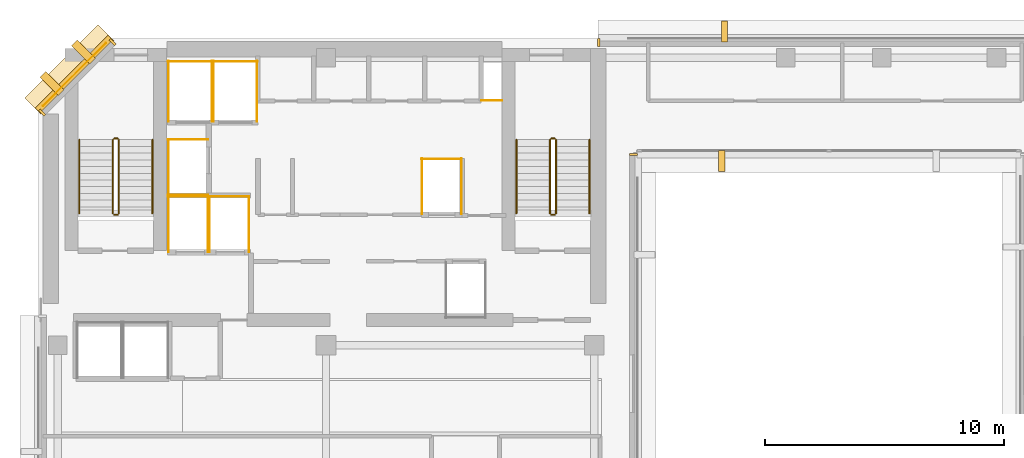
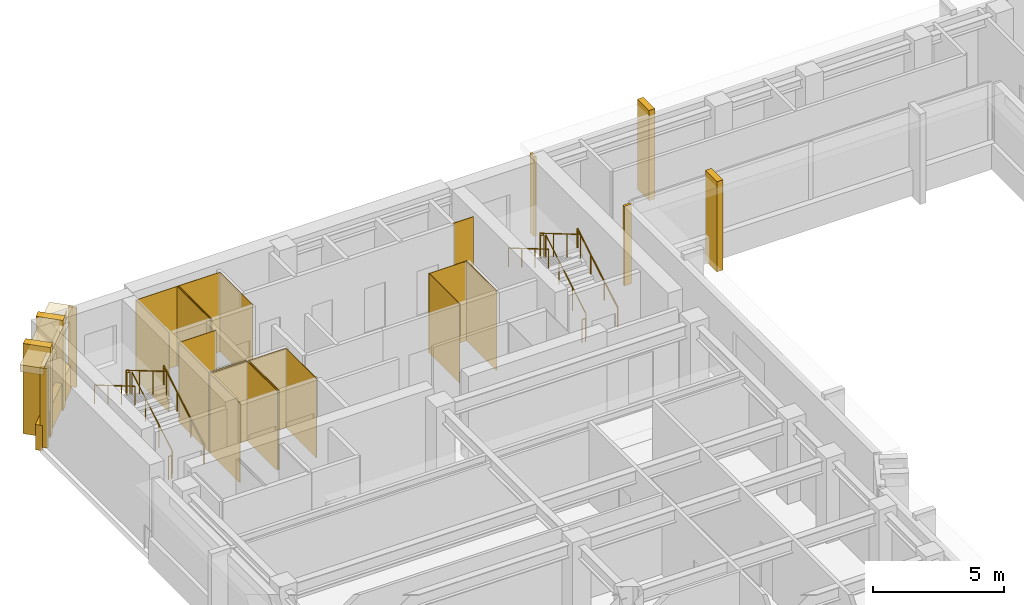
# One storey, part 10 of 11: 30 coverings, 12 railings.
"""IFC4 building model written with IfcOpenShell, lengths in metres."""

from ifc_helpers import new_model, si_unit, direction, frame, origin, origin_2d, place, context, subcontext, project, spatial, polyline, rectangle, circle, outline, extrude, material, layer, layer_set, type_object, element, save


model = new_model("IFC4")

# Units and contexts
model_context = context("Model", 3, precision=1e-05, world=origin(), true_north=direction((0.0, 1.0)))
body_context = subcontext(model_context, "Body", "Model", "MODEL_VIEW")
ifc_project = project(units=[si_unit("LENGTHUNIT", "METRE"), si_unit("AREAUNIT", "SQUARE_METRE"), si_unit("VOLUMEUNIT", "CUBIC_METRE"), si_unit("PLANEANGLEUNIT", "RADIAN"), si_unit("MASSUNIT", "GRAM", prefix="KILO")], contexts=[model_context])

# Site, building, storey
site_placement = place(None, origin())
site = spatial("IfcSite", under=ifc_project, at=site_placement, CompositionType="ELEMENT")
building_placement = place(site_placement, origin())
building = spatial("IfcBuilding", under=site, at=building_placement, Name="Kefirva Bronze Tower", CompositionType="ELEMENT")
storey_placement = place(building_placement, frame((0.0, 0.0, 219.780029296875)))
storey = spatial("IfcBuildingStorey", under=building, at=storey_placement, Name="L53", CompositionType="ELEMENT", Elevation=219.780029296875)

# Coverings
ifc_material_1 = material(Name="Bronze anodised aluminium", Category="aluminium")
ifc_layer_1 = layer(ifc_material_1, 0.02001953125, Name="Bronze anodised aluminium")
ifc_layer_set_1 = layer_set([ifc_layer_1], Name="Bronze anodised aluminium")
covering_type_1 = type_object("IfcCoveringType", Name="Anodised Bronze Spandrel Cladding 20mm", PredefinedType="CLADDING", material=ifc_layer_set_1)
for number, where, z_axis, x_axis, name in (
    (1, (24.840087890625, 41.1650390625, 0.0), (0.0, 0.0, 1.0), (0.0, 1.0, 0.0), "L53 Facade Joint Closure Panel 4E"),
    (2, (23.385009765625, 45.840087890625, 0.0), (0.0, 0.0, 1.0), (-1.0, 0.0, 0.0), "L53 Facade Joint Closure Panel 11E"),
):
    element("IfcCovering", number, at=place(storey_placement, frame(where, z_axis=z_axis, x_axis=x_axis)), inside=storey, type_object=covering_type_1, Name=name, PredefinedType="CLADDING", context=body_context, shape_type="SweptSolid", body=[
        extrude(rectangle(XDim=0.10009765625, YDim=0.320068359375, at=origin_2d()), origin(), (0.0, 0.0, 1.0), 3.7099609375),
    ])
covering_1_placement = place(storey_placement, frame((1.492919921875, 44.507080078125, 3.2900390625), z_axis=(0.0, 0.0, 1.0), x_axis=(-0.707106781187, -0.707106781187, 0.0)))
element("IfcCovering", 3, at=covering_1_placement, inside=storey, type_object=covering_type_1, Name="L53 Bronze Spandrel Cladding 12", PredefinedType="CLADDING", context=body_context, shape_type="SweptSolid", body=[
    extrude(rectangle(XDim=3.719482421875, YDim=0.02001953125, at=origin_2d()), origin(), (0.0, 0.0, 1.0), 0.39990234375),
])
for number, where, z_axis, x_axis, name in (
    (4, (3.08837890625, 45.862060546875, 0.0), (0.0, 0.0, 1.0), (-0.707106781187, -0.707106781187, 0.0), "L53 Facade Joint Closure Panel 12S"),
    (5, (0.137939453125, 42.91162109375, 0.0), (0.0, 0.0, 1.0), (-0.707106781187, -0.707106781187, 0.0), "L53 Facade Joint Closure Panel 12E"),
):
    element("IfcCovering", number, at=place(storey_placement, frame(where, z_axis=z_axis, x_axis=x_axis)), inside=storey, type_object=covering_type_1, Name=name, PredefinedType="CLADDING", context=body_context, shape_type="SweptSolid", body=[
        extrude(rectangle(XDim=0.10009765625, YDim=0.320068359375, at=origin_2d()), origin(), (0.0, 0.0, 1.0), 3.7099609375),
    ])
covering_2_placement = place(storey_placement, frame((1.4716796875, 44.5283203125, -0.16015625), z_axis=(0.0, 0.0, 1.0), x_axis=(-0.707106781187, -0.707106781187, 0.0)))
element("IfcCovering", 6, at=covering_2_placement, inside=storey, type_object=covering_type_1, Name="L53 Streamline Horizontal Spandrel Band 14", PredefinedType="CLADDING", context=body_context, shape_type="SweptSolid", body=[
    extrude(rectangle(XDim=4.28271484375, YDim=0.280029296875, at=origin_2d()), origin(), (0.0, 0.0, 1.0), 1.179931640625),
])
covering_3_placement = place(storey_placement, origin())
element("IfcCovering", 7, at=covering_3_placement, inside=storey, type_object=covering_type_1, Name="L53 Lift FF1 Hoistway Liner N", PredefinedType="CLADDING", context=body_context, shape_type="SweptSolid", body=[
    extrude(outline(polyline([(5.39990234375, 39.389892578125), (7.080078125, 39.389892578125), (7.080078125, 39.409912109375), (5.39990234375, 39.409912109375), (5.39990234375, 39.389892578125)])), origin(), (0.0, 0.0, 1.0), 3.7099609375),
])
covering_4_placement = place(storey_placement, origin())
element("IfcCovering", 8, at=covering_4_placement, inside=storey, type_object=covering_type_1, Name="L53 Lift FF1 Hoistway Liner W", PredefinedType="CLADDING", context=body_context, shape_type="SweptSolid", body=[
    extrude(outline(polyline([(5.409912109375, 37.080078125), (5.429931640625, 37.080078125), (5.429931640625, 39.419921875), (5.409912109375, 39.419921875), (5.409912109375, 37.080078125)])), origin(), (0.0, 0.0, 1.0), 3.7099609375),
])
covering_5_placement = place(storey_placement, origin())
element("IfcCovering", 9, at=covering_5_placement, inside=storey, type_object=covering_type_1, Name="L53 Lift FF1 Hoistway Liner E", PredefinedType="CLADDING", context=body_context, shape_type="SweptSolid", body=[
    extrude(outline(polyline([(7.050048828125, 37.080078125), (7.070068359375, 37.080078125), (7.070068359375, 39.419921875), (7.050048828125, 39.419921875), (7.050048828125, 37.080078125)])), origin(), (0.0, 0.0, 1.0), 3.7099609375),
])
covering_6_placement = place(storey_placement, origin())
element("IfcCovering", 10, at=covering_6_placement, inside=storey, type_object=covering_type_1, Name="L53 Lift FF2 Hoistway Liner N", PredefinedType="CLADDING", context=body_context, shape_type="SweptSolid", body=[
    extrude(outline(polyline([(7.1201171875, 39.389892578125), (8.800048828125, 39.389892578125), (8.800048828125, 39.409912109375), (7.1201171875, 39.409912109375), (7.1201171875, 39.389892578125)])), origin(), (0.0, 0.0, 1.0), 3.7099609375),
])
covering_7_placement = place(storey_placement, origin())
element("IfcCovering", 11, at=covering_7_placement, inside=storey, type_object=covering_type_1, Name="L53 Lift FF2 Hoistway Liner W", PredefinedType="CLADDING", context=body_context, shape_type="SweptSolid", body=[
    extrude(outline(polyline([(7.1298828125, 37.080078125), (7.14990234375, 37.080078125), (7.14990234375, 39.419921875), (7.1298828125, 39.419921875), (7.1298828125, 37.080078125)])), origin(), (0.0, 0.0, 1.0), 3.7099609375),
])
covering_8_placement = place(storey_placement, origin())
element("IfcCovering", 12, at=covering_8_placement, inside=storey, type_object=covering_type_1, Name="L53 Lift FF2 Hoistway Liner E", PredefinedType="CLADDING", context=body_context, shape_type="SweptSolid", body=[
    extrude(outline(polyline([(8.77001953125, 37.080078125), (8.7900390625, 37.080078125), (8.7900390625, 39.419921875), (8.77001953125, 39.419921875), (8.77001953125, 37.080078125)])), origin(), (0.0, 0.0, 1.0), 3.7099609375),
])
covering_9_placement = place(storey_placement, origin())
element("IfcCovering", 13, at=covering_9_placement, inside=storey, type_object=covering_type_1, Name="L53 Lift SV1 Hoistway Liner N", PredefinedType="CLADDING", context=body_context, shape_type="SweptSolid", body=[
    extrude(outline(polyline([(5.39990234375, 45.0400390625), (7.260009765625, 45.0400390625), (7.260009765625, 45.06005859375), (5.39990234375, 45.06005859375), (5.39990234375, 45.0400390625)])), origin(), (0.0, 0.0, 1.0), 3.7099609375),
])
covering_10_placement = place(storey_placement, origin())
element("IfcCovering", 14, at=covering_10_placement, inside=storey, type_object=covering_type_1, Name="L53 Lift SV1 Hoistway Liner W", PredefinedType="CLADDING", context=body_context, shape_type="SweptSolid", body=[
    extrude(outline(polyline([(5.409912109375, 42.530029296875), (5.429931640625, 42.530029296875), (5.429931640625, 45.070068359375), (5.409912109375, 45.070068359375), (5.409912109375, 42.530029296875)])), origin(), (0.0, 0.0, 1.0), 3.7099609375),
])
covering_11_placement = place(storey_placement, origin())
element("IfcCovering", 15, at=covering_11_placement, inside=storey, type_object=covering_type_1, Name="L53 Lift SV1 Hoistway Liner E", PredefinedType="CLADDING", context=body_context, shape_type="SweptSolid", body=[
    extrude(outline(polyline([(7.22998046875, 42.530029296875), (7.25, 42.530029296875), (7.25, 45.070068359375), (7.22998046875, 45.070068359375), (7.22998046875, 42.530029296875)])), origin(), (0.0, 0.0, 1.0), 3.7099609375),
])
covering_12_placement = place(storey_placement, origin())
element("IfcCovering", 16, at=covering_12_placement, inside=storey, type_object=covering_type_1, Name="L53 Lift SV2 Hoistway Liner N", PredefinedType="CLADDING", context=body_context, shape_type="SweptSolid", body=[
    extrude(outline(polyline([(7.280029296875, 45.0400390625), (9.139892578125, 45.0400390625), (9.139892578125, 45.06005859375), (7.280029296875, 45.06005859375), (7.280029296875, 45.0400390625)])), origin(), (0.0, 0.0, 1.0), 3.7099609375),
])
covering_13_placement = place(storey_placement, origin())
element("IfcCovering", 17, at=covering_13_placement, inside=storey, type_object=covering_type_1, Name="L53 Lift SV2 Hoistway Liner W", PredefinedType="CLADDING", context=body_context, shape_type="SweptSolid", body=[
    extrude(outline(polyline([(7.2900390625, 42.530029296875), (7.31005859375, 42.530029296875), (7.31005859375, 45.070068359375), (7.2900390625, 45.070068359375), (7.2900390625, 42.530029296875)])), origin(), (0.0, 0.0, 1.0), 3.7099609375),
])
covering_14_placement = place(storey_placement, origin())
element("IfcCovering", 18, at=covering_14_placement, inside=storey, type_object=covering_type_1, Name="L53 Lift SV2 Hoistway Liner E", PredefinedType="CLADDING", context=body_context, shape_type="SweptSolid", body=[
    extrude(outline(polyline([(9.110107421875, 42.530029296875), (9.1298828125, 42.530029296875), (9.1298828125, 45.070068359375), (9.110107421875, 45.070068359375), (9.110107421875, 42.530029296875)])), origin(), (0.0, 0.0, 1.0), 3.7099609375),
])
covering_15_placement = place(storey_placement, origin())
element("IfcCovering", 19, at=covering_15_placement, inside=storey, type_object=covering_type_1, Name="L53 Lift HP2 Hoistway Liner N", PredefinedType="CLADDING", context=body_context, shape_type="SweptSolid", body=[
    extrude(outline(polyline([(15.97998046875, 40.969970703125), (17.669921875, 40.969970703125), (17.669921875, 40.989990234375), (15.97998046875, 40.989990234375), (15.97998046875, 40.969970703125)])), origin(), (0.0, 0.0, 1.0), 3.7099609375),
])
covering_16_placement = place(storey_placement, origin())
element("IfcCovering", 20, at=covering_16_placement, inside=storey, type_object=covering_type_1, Name="L53 Lift HP2 Hoistway Liner W", PredefinedType="CLADDING", context=body_context, shape_type="SweptSolid", body=[
    extrude(outline(polyline([(15.989990234375, 38.659912109375), (16.010009765625, 38.659912109375), (16.010009765625, 41.0), (15.989990234375, 41.0), (15.989990234375, 38.659912109375)])), origin(), (0.0, 0.0, 1.0), 3.7099609375),
])
covering_17_placement = place(storey_placement, origin())
element("IfcCovering", 21, at=covering_17_placement, inside=storey, type_object=covering_type_1, Name="L53 Lift HP2 Hoistway Liner E", PredefinedType="CLADDING", context=body_context, shape_type="SweptSolid", body=[
    extrude(outline(polyline([(17.639892578125, 38.659912109375), (17.659912109375, 38.659912109375), (17.659912109375, 41.0), (17.639892578125, 41.0), (17.639892578125, 38.659912109375)])), origin(), (0.0, 0.0, 1.0), 3.7099609375),
])
covering_18_placement = place(storey_placement, origin())
element("IfcCovering", 22, at=covering_18_placement, inside=storey, type_object=covering_type_1, Name="L53 Lift HP3 Hoistway Liner N", PredefinedType="CLADDING", context=body_context, shape_type="SweptSolid", body=[
    extrude(outline(polyline([(5.39990234375, 41.77001953125), (7.080078125, 41.77001953125), (7.080078125, 41.7900390625), (5.39990234375, 41.7900390625), (5.39990234375, 41.77001953125)])), origin(), (0.0, 0.0, 1.0), 3.7099609375),
])
covering_19_placement = place(storey_placement, origin())
element("IfcCovering", 23, at=covering_19_placement, inside=storey, type_object=covering_type_1, Name="L53 Lift HP3 Hoistway Liner S", PredefinedType="CLADDING", context=body_context, shape_type="SweptSolid", body=[
    extrude(outline(polyline([(5.39990234375, 39.469970703125), (7.080078125, 39.469970703125), (7.080078125, 39.489990234375), (5.39990234375, 39.489990234375), (5.39990234375, 39.469970703125)])), origin(), (0.0, 0.0, 1.0), 3.7099609375),
])
covering_20_placement = place(storey_placement, origin())
element("IfcCovering", 24, at=covering_20_placement, inside=storey, type_object=covering_type_1, Name="L53 Lift HP3 Hoistway Liner W", PredefinedType="CLADDING", context=body_context, shape_type="SweptSolid", body=[
    extrude(outline(polyline([(5.409912109375, 39.4599609375), (5.429931640625, 39.4599609375), (5.429931640625, 41.800048828125), (5.409912109375, 41.800048828125), (5.409912109375, 39.4599609375)])), origin(), (0.0, 0.0, 1.0), 3.7099609375),
])
covering_21_placement = place(storey_placement, origin())
element("IfcCovering", 25, at=covering_21_placement, inside=storey, type_object=covering_type_1, Name="L53 Core MEP Riser Shaft Liner South", PredefinedType="CLADDING", context=body_context, shape_type="SweptSolid", body=[
    extrude(outline(polyline([(18.47998046875, 43.39990234375), (19.360107421875, 43.39990234375), (19.360107421875, 43.429931640625), (18.47998046875, 43.429931640625), (18.47998046875, 43.39990234375)])), origin(), (0.0, 0.0, 1.0), 3.7099609375),
])

# Railings
ifc_material_2 = material(Name="Stainless steel 316", Category="steel")
railing_type_1 = type_object("IfcRailingType", Name="Interior Stair Guardrail 1100mm", PredefinedType="GUARDRAIL", material=ifc_material_2)
railing_1_placement = place(storey_placement, frame((3.35009765625, 38.699951171875, 0.1650390625)))
element("IfcRailing", 26, at=railing_1_placement, inside=storey, type_object=railing_type_1, Name="L53 ST-1 stair guard 1", PredefinedType="GUARDRAIL", context=body_context, shape_type="SweptSolid", body=[
    extrude(circle(Radius=0.02392578125, at=origin_2d()), frame((0.0, 0.0, 1.076171875), z_axis=(0.0, 0.861551262678, 0.507670583921), x_axis=(-1.0, 0.0, 0.0)), (0.0, 0.0, 1.0), 3.574951171875),
    extrude(circle(Radius=0.02099609375, at=origin_2d()), origin(), (0.0, 0.0, 1.0), 1.052001953125),
    extrude(circle(Radius=0.02099609375, at=origin_2d()), frame((0.0, 1.026611328125, 0.60498046875)), (0.0, 0.0, 1.0), 1.052001953125),
    extrude(circle(Radius=0.02099609375, at=origin_2d()), frame((0.0, 2.053466796875, 1.2099609375)), (0.0, 0.0, 1.0), 1.052001953125),
    extrude(circle(Radius=0.02099609375, at=origin_2d()), frame((0.0, 3.080078125, 1.81494140625)), (0.0, 0.0, 1.0), 1.052001953125),
])
railing_2_placement = place(storey_placement, frame((3.300048828125, 41.830078125, 1.97998046875)))
element("IfcRailing", 27, at=railing_2_placement, inside=storey, type_object=railing_type_1, Name="L53 ST-1 stair guard 2", PredefinedType="GUARDRAIL", context=body_context, shape_type="SweptSolid", body=[
    extrude(circle(Radius=0.02392578125, at=origin_2d()), frame((0.0, 0.0, 1.076171875), z_axis=(-1.0, 0.0, 0.0), x_axis=(0.0, -1.0, 0.0)), (0.0, 0.0, 1.0), 0.150146484375),
    extrude(circle(Radius=0.02099609375, at=origin_2d()), origin(), (0.0, 0.0, 1.0), 1.052001953125),
    extrude(circle(Radius=0.02099609375, at=origin_2d()), frame((-0.150146484375, 0.0, 0.0)), (0.0, 0.0, 1.0), 1.052001953125),
])
railing_3_placement = place(storey_placement, frame((3.10009765625, 41.780029296875, 2.14501953125)))
element("IfcRailing", 28, at=railing_3_placement, inside=storey, type_object=railing_type_1, Name="L53 ST-1 stair guard 3", PredefinedType="GUARDRAIL", context=body_context, shape_type="SweptSolid", body=[
    extrude(circle(Radius=0.02392578125, at=origin_2d()), frame((0.0, 0.0, 1.076171875), z_axis=(0.0, -0.861551262678, 0.507670583921), x_axis=(1.0, 0.0, 0.0)), (0.0, 0.0, 1.0), 3.574951171875),
    extrude(circle(Radius=0.02099609375, at=origin_2d()), origin(), (0.0, 0.0, 1.0), 1.052001953125),
    extrude(circle(Radius=0.02099609375, at=origin_2d()), frame((0.0, -1.026611328125, 0.60498046875)), (0.0, 0.0, 1.0), 1.052001953125),
    extrude(circle(Radius=0.02099609375, at=origin_2d()), frame((0.0, -2.053466796875, 1.2099609375)), (0.0, 0.0, 1.0), 1.052001953125),
    extrude(circle(Radius=0.02099609375, at=origin_2d()), frame((0.0, -3.080078125, 1.81494140625)), (0.0, 0.0, 1.0), 1.052001953125),
])
railing_4_placement = place(storey_placement, frame((3.300048828125, 38.64990234375, 0.0)))
element("IfcRailing", 29, at=railing_4_placement, inside=storey, type_object=railing_type_1, Name="L53 ST-1 stair guard 4", PredefinedType="GUARDRAIL", context=body_context, shape_type="SweptSolid", body=[
    extrude(circle(Radius=0.02392578125, at=origin_2d()), frame((0.0, 0.0, 1.076171875), z_axis=(-1.0, 0.0, 0.0), x_axis=(0.0, -1.0, 0.0)), (0.0, 0.0, 1.0), 0.150146484375),
    extrude(circle(Radius=0.02099609375, at=origin_2d()), origin(), (0.0, 0.0, 1.0), 1.052001953125),
    extrude(circle(Radius=0.02099609375, at=origin_2d()), frame((-0.150146484375, 0.0, 0.0)), (0.0, 0.0, 1.0), 1.052001953125),
])
railing_5_placement = place(storey_placement, frame((21.60009765625, 38.699951171875, 0.1650390625)))
element("IfcRailing", 30, at=railing_5_placement, inside=storey, type_object=railing_type_1, Name="L53 ST-2 stair guard 1", PredefinedType="GUARDRAIL", context=body_context, shape_type="SweptSolid", body=[
    extrude(circle(Radius=0.02392578125, at=origin_2d()), frame((0.0, 0.0, 1.076171875), z_axis=(0.0, 0.861551262678, 0.507670583921), x_axis=(-1.0, 0.0, 0.0)), (0.0, 0.0, 1.0), 3.574951171875),
    extrude(circle(Radius=0.02099609375, at=origin_2d()), origin(), (0.0, 0.0, 1.0), 1.052001953125),
    extrude(circle(Radius=0.02099609375, at=origin_2d()), frame((0.0, 1.026611328125, 0.60498046875)), (0.0, 0.0, 1.0), 1.052001953125),
    extrude(circle(Radius=0.02099609375, at=origin_2d()), frame((0.0, 2.053466796875, 1.2099609375)), (0.0, 0.0, 1.0), 1.052001953125),
    extrude(circle(Radius=0.02099609375, at=origin_2d()), frame((0.0, 3.080078125, 1.81494140625)), (0.0, 0.0, 1.0), 1.052001953125),
])
railing_6_placement = place(storey_placement, frame((21.550048828125, 41.830078125, 1.97998046875)))
element("IfcRailing", 31, at=railing_6_placement, inside=storey, type_object=railing_type_1, Name="L53 ST-2 stair guard 2", PredefinedType="GUARDRAIL", context=body_context, shape_type="SweptSolid", body=[
    extrude(circle(Radius=0.02392578125, at=origin_2d()), frame((0.0, 0.0, 1.076171875), z_axis=(-1.0, 0.0, 0.0), x_axis=(0.0, -1.0, 0.0)), (0.0, 0.0, 1.0), 0.150146484375),
    extrude(circle(Radius=0.02099609375, at=origin_2d()), origin(), (0.0, 0.0, 1.0), 1.052001953125),
    extrude(circle(Radius=0.02099609375, at=origin_2d()), frame((-0.150146484375, 0.0, 0.0)), (0.0, 0.0, 1.0), 1.052001953125),
])
railing_7_placement = place(storey_placement, frame((21.35009765625, 41.780029296875, 2.14501953125)))
element("IfcRailing", 32, at=railing_7_placement, inside=storey, type_object=railing_type_1, Name="L53 ST-2 stair guard 3", PredefinedType="GUARDRAIL", context=body_context, shape_type="SweptSolid", body=[
    extrude(circle(Radius=0.02392578125, at=origin_2d()), frame((0.0, 0.0, 1.076171875), z_axis=(0.0, -0.861551262678, 0.507670583921), x_axis=(1.0, 0.0, 0.0)), (0.0, 0.0, 1.0), 3.574951171875),
    extrude(circle(Radius=0.02099609375, at=origin_2d()), origin(), (0.0, 0.0, 1.0), 1.052001953125),
    extrude(circle(Radius=0.02099609375, at=origin_2d()), frame((0.0, -1.026611328125, 0.60498046875)), (0.0, 0.0, 1.0), 1.052001953125),
    extrude(circle(Radius=0.02099609375, at=origin_2d()), frame((0.0, -2.053466796875, 1.2099609375)), (0.0, 0.0, 1.0), 1.052001953125),
    extrude(circle(Radius=0.02099609375, at=origin_2d()), frame((0.0, -3.080078125, 1.81494140625)), (0.0, 0.0, 1.0), 1.052001953125),
])
railing_8_placement = place(storey_placement, frame((21.550048828125, 38.64990234375, 0.0)))
element("IfcRailing", 33, at=railing_8_placement, inside=storey, type_object=railing_type_1, Name="L53 ST-2 stair guard 4", PredefinedType="GUARDRAIL", context=body_context, shape_type="SweptSolid", body=[
    extrude(circle(Radius=0.02392578125, at=origin_2d()), frame((0.0, 0.0, 1.076171875), z_axis=(-1.0, 0.0, 0.0), x_axis=(0.0, -1.0, 0.0)), (0.0, 0.0, 1.0), 0.150146484375),
    extrude(circle(Radius=0.02099609375, at=origin_2d()), origin(), (0.0, 0.0, 1.0), 1.052001953125),
    extrude(circle(Radius=0.02099609375, at=origin_2d()), frame((-0.150146484375, 0.0, 0.0)), (0.0, 0.0, 1.0), 1.052001953125),
])
railing_type_2 = type_object("IfcRailingType", Name="Stair Pitch Handrail 900mm", PredefinedType="HANDRAIL", material=ifc_material_2)
railing_9_placement = place(storey_placement, frame((4.75, 38.699951171875, 0.1650390625)))
element("IfcRailing", 34, at=railing_9_placement, inside=storey, type_object=railing_type_2, Name="L53 ST-1 stair handrail 1", PredefinedType="HANDRAIL", context=body_context, shape_type="SweptSolid", body=[
    extrude(circle(Radius=0.02392578125, at=origin_2d()), frame((0.0, 0.0, 0.8759765625), z_axis=(0.0, 0.861551262678, 0.507670583921), x_axis=(-1.0, 0.0, 0.0)), (0.0, 0.0, 1.0), 3.574951171875),
    extrude(circle(Radius=0.02099609375, at=origin_2d()), origin(), (0.0, 0.0, 1.0), 0.851806640625),
    extrude(circle(Radius=0.02099609375, at=origin_2d()), frame((0.0, 1.026611328125, 0.60498046875)), (0.0, 0.0, 1.0), 0.851806640625),
    extrude(circle(Radius=0.02099609375, at=origin_2d()), frame((0.0, 2.053466796875, 1.2099609375)), (0.0, 0.0, 1.0), 0.851806640625),
    extrude(circle(Radius=0.02099609375, at=origin_2d()), frame((0.0, 3.080078125, 1.81494140625)), (0.0, 0.0, 1.0), 0.851806640625),
])
railing_10_placement = place(storey_placement, frame((1.699951171875, 41.780029296875, 2.14501953125)))
element("IfcRailing", 35, at=railing_10_placement, inside=storey, type_object=railing_type_2, Name="L53 ST-1 stair handrail 2", PredefinedType="HANDRAIL", context=body_context, shape_type="SweptSolid", body=[
    extrude(circle(Radius=0.02392578125, at=origin_2d()), frame((0.0, 0.0, 0.8759765625), z_axis=(0.0, -0.861551262678, 0.507670583921), x_axis=(1.0, 0.0, 0.0)), (0.0, 0.0, 1.0), 3.574951171875),
    extrude(circle(Radius=0.02099609375, at=origin_2d()), origin(), (0.0, 0.0, 1.0), 0.851806640625),
    extrude(circle(Radius=0.02099609375, at=origin_2d()), frame((0.0, -1.026611328125, 0.60498046875)), (0.0, 0.0, 1.0), 0.851806640625),
    extrude(circle(Radius=0.02099609375, at=origin_2d()), frame((0.0, -2.053466796875, 1.2099609375)), (0.0, 0.0, 1.0), 0.851806640625),
    extrude(circle(Radius=0.02099609375, at=origin_2d()), frame((0.0, -3.080078125, 1.81494140625)), (0.0, 0.0, 1.0), 0.851806640625),
])
railing_11_placement = place(storey_placement, frame((23.0, 38.699951171875, 0.1650390625)))
element("IfcRailing", 36, at=railing_11_placement, inside=storey, type_object=railing_type_2, Name="L53 ST-2 stair handrail 1", PredefinedType="HANDRAIL", context=body_context, shape_type="SweptSolid", body=[
    extrude(circle(Radius=0.02392578125, at=origin_2d()), frame((0.0, 0.0, 0.8759765625), z_axis=(0.0, 0.861551262678, 0.507670583921), x_axis=(-1.0, 0.0, 0.0)), (0.0, 0.0, 1.0), 3.574951171875),
    extrude(circle(Radius=0.02099609375, at=origin_2d()), origin(), (0.0, 0.0, 1.0), 0.851806640625),
    extrude(circle(Radius=0.02099609375, at=origin_2d()), frame((0.0, 1.026611328125, 0.60498046875)), (0.0, 0.0, 1.0), 0.851806640625),
    extrude(circle(Radius=0.02099609375, at=origin_2d()), frame((0.0, 2.053466796875, 1.2099609375)), (0.0, 0.0, 1.0), 0.851806640625),
    extrude(circle(Radius=0.02099609375, at=origin_2d()), frame((0.0, 3.080078125, 1.81494140625)), (0.0, 0.0, 1.0), 0.851806640625),
])
railing_12_placement = place(storey_placement, frame((19.949951171875, 41.780029296875, 2.14501953125)))
element("IfcRailing", 37, at=railing_12_placement, inside=storey, type_object=railing_type_2, Name="L53 ST-2 stair handrail 2", PredefinedType="HANDRAIL", context=body_context, shape_type="SweptSolid", body=[
    extrude(circle(Radius=0.02392578125, at=origin_2d()), frame((0.0, 0.0, 0.8759765625), z_axis=(0.0, -0.861551262678, 0.507670583921), x_axis=(1.0, 0.0, 0.0)), (0.0, 0.0, 1.0), 3.574951171875),
    extrude(circle(Radius=0.02099609375, at=origin_2d()), origin(), (0.0, 0.0, 1.0), 0.851806640625),
    extrude(circle(Radius=0.02099609375, at=origin_2d()), frame((0.0, -1.026611328125, 0.60498046875)), (0.0, 0.0, 1.0), 0.851806640625),
    extrude(circle(Radius=0.02099609375, at=origin_2d()), frame((0.0, -2.053466796875, 1.2099609375)), (0.0, 0.0, 1.0), 0.851806640625),
    extrude(circle(Radius=0.02099609375, at=origin_2d()), frame((0.0, -3.080078125, 1.81494140625)), (0.0, 0.0, 1.0), 0.851806640625),
])

# Coverings
ifc_layer_2 = layer(ifc_material_1, 0.179931640625, Name="Bronze anodised aluminium")
ifc_layer_set_2 = layer_set([ifc_layer_2], Name="Bronze anodised aluminium")
covering_type_2 = type_object("IfcCoveringType", Name="Streamline Bronze Sunshade Eyebrow Cladding 180mm", PredefinedType="CLADDING", material=ifc_layer_set_2)
covering_22_placement = place(storey_placement, frame((1.28076171875, 44.71923828125, 3.39013671875), z_axis=(0.0, 0.0, 1.0), x_axis=(-0.707106781187, -0.707106781187, 0.0)))
element("IfcCovering", 38, at=covering_22_placement, inside=storey, type_object=covering_type_2, Name="L53 Streamline Bronze Sunshade Eyebrow 14", PredefinedType="CLADDING", context=body_context, shape_type="SweptSolid", body=[
    extrude(rectangle(XDim=4.322509765625, YDim=0.93994140625, at=origin_2d()), origin(), (0.0, 0.0, 1.0), 0.320068359375),
])
ifc_layer_3 = layer(ifc_material_1, 0.260009765625, Name="Bronze anodised aluminium")
ifc_layer_set_3 = layer_set([ifc_layer_3], Name="Bronze anodised aluminium")
covering_type_3 = type_object("IfcCoveringType", Name="Unbroken Bronze Buttress Fin Cladding 260mm", PredefinedType="CLADDING", material=ifc_layer_set_3)
for number, where, z_axis, x_axis, name in (
    (39, (28.52001953125, 40.89990234375, -0.25), (0.0, 0.0, 1.0), (1.0, 0.0, 0.0), "L53 Unbroken Vertical Bronze Rib Fin 11"),
    (40, (28.639892578125, 46.300048828125, -0.25), (0.0, 0.0, 1.0), (-1.0, 0.0, 0.0), "L53 Unbroken Vertical Bronze Rib Fin 24"),
):
    element("IfcCovering", number, at=place(storey_placement, frame(where, z_axis=z_axis, x_axis=x_axis)), inside=storey, type_object=covering_type_3, Name=name, PredefinedType="CLADDING", context=body_context, shape_type="SweptSolid", body=[
        extrude(rectangle(XDim=0.260009765625, YDim=0.8798828125, at=origin_2d()), origin(), (0.0, 0.0, 1.0), 4.2099609375),
    ])
for number, where, z_axis, x_axis, name in (
    (41, (1.877197265625, 45.44287109375, -0.25), (0.0, 0.0, 1.0), (-0.707106781187, -0.707106781187, 0.0), "L53 Chamfered Corner Buttress Fin Cladding 25"),
    (42, (0.55712890625, 44.122802734375, -0.25), (0.0, 0.0, 1.0), (-0.707106781187, -0.707106781187, 0.0), "L53 Chamfered Corner Buttress Fin Cladding 26"),
):
    element("IfcCovering", number, at=place(storey_placement, frame(where, z_axis=z_axis, x_axis=x_axis)), inside=storey, type_object=covering_type_3, Name=name, PredefinedType="CLADDING", context=body_context, shape_type="SweptSolid", body=[
        extrude(rectangle(XDim=0.340087890625, YDim=1.080078125, at=origin_2d()), origin(), (0.0, 0.0, 1.0), 4.2099609375),
    ])

save(model, "model.ifc")
